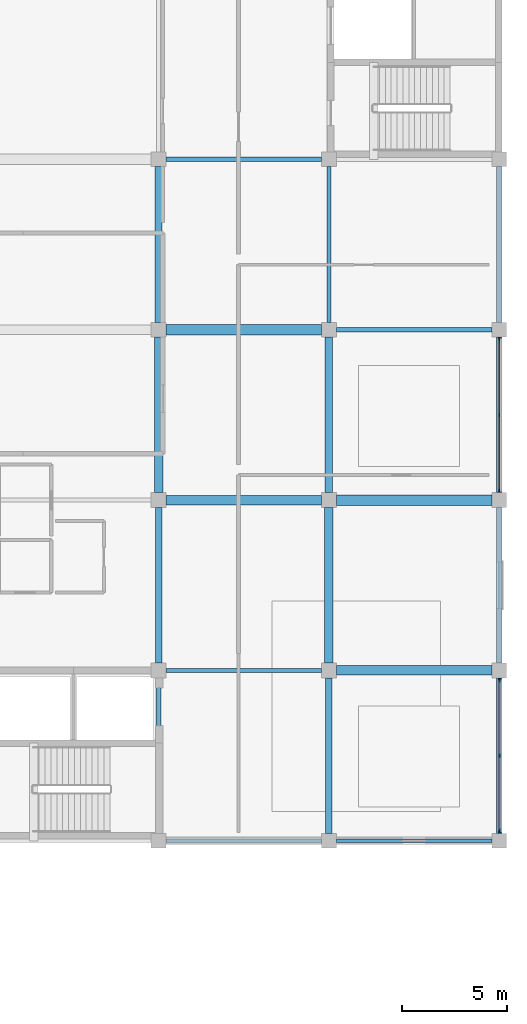
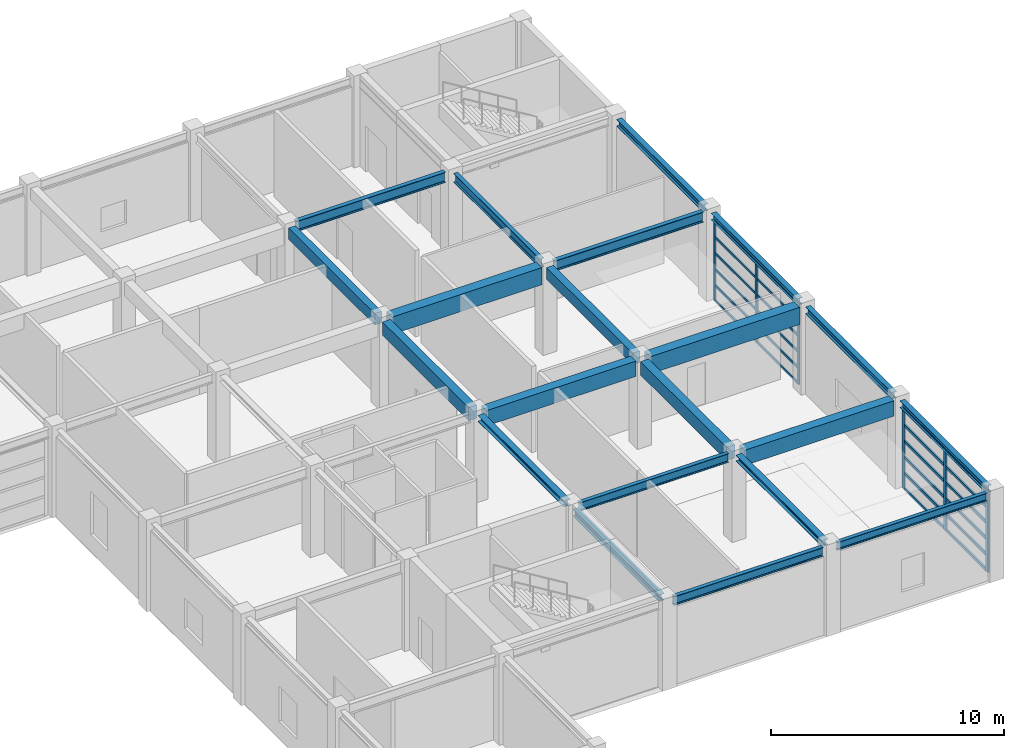
# One storey, part 35 of 58: 30 members, 21 beams, 2 elements without a shape of their own.
"""IFC4 building model written with IfcOpenShell, lengths in metres."""

from ifc_helpers import new_model, si_unit, direction, frame, origin, origin_2d, place, context, subcontext, project, spatial, rectangle, i_section, extrude, material, material_profile, profile_set, type_object, element, aggregate, save


model = new_model("IFC4")

# Units and contexts
model_context = context("Model", 3, precision=1e-05, world=origin(), true_north=direction((0.0, 1.0)))
body_context = subcontext(model_context, "Body", "Model", "MODEL_VIEW")
ifc_project = project(units=[si_unit("LENGTHUNIT", "METRE"), si_unit("AREAUNIT", "SQUARE_METRE"), si_unit("VOLUMEUNIT", "CUBIC_METRE"), si_unit("PLANEANGLEUNIT", "RADIAN"), si_unit("MASSUNIT", "GRAM", prefix="KILO")], contexts=[model_context])

# Site, building, storey
site_placement = place(None, origin())
site = spatial("IfcSite", under=ifc_project, at=site_placement, CompositionType="ELEMENT")
building_placement = place(site_placement, origin())
building = spatial("IfcBuilding", under=site, at=building_placement, Name="Parian Resonance Hall", CompositionType="ELEMENT")
storey_placement = place(building_placement, frame((0.0, 0.0, 10.199951171875)))
storey = spatial("IfcBuildingStorey", under=building, at=storey_placement, Name="L02", CompositionType="ELEMENT", Elevation=10.199951171875)

# Beams
ifc_material_1 = material(Name="Concrete C40/50", Category="concrete")
ifc_material_profile_1 = material_profile(ifc_material_1, rectangle(XDim=0.35009765625, YDim=0.60009765625, at=origin_2d()), Name="RC-BM-350x600")
ifc_profile_set_1 = profile_set([ifc_material_profile_1], Name="Concrete C40/50")
beam_type_1 = type_object("IfcBeamType", Name="BM-RC350x600", PredefinedType="BEAM", material=ifc_profile_set_1)
beam_1_placement = place(storey_placement, frame((129.60009765625, 73.25, 4.25), z_axis=(0.0, 1.0, 0.0), x_axis=(-1.0, 0.0, 0.0)))
element("IfcBeam", 1, at=beam_1_placement, inside=storey, type_object=beam_type_1, Name="GY-L02-0800", PredefinedType="BEAM", context=body_context, shape_type="SweptSolid", body=[
    extrude(rectangle(XDim=0.35009765625, YDim=0.60009765625, at=origin_2d()), origin(), (0.0, 0.0, 1.0), 7.39990234375),
])
beam_2_placement = place(storey_placement, frame((137.699951171875, 65.14990234375, 4.25), z_axis=(0.0, 1.0, 0.0), x_axis=(-1.0, 0.0, 0.0)))
element("IfcBeam", 2, at=beam_2_placement, inside=storey, type_object=beam_type_1, Name="GY-L02-0804", PredefinedType="BEAM", context=body_context, shape_type="SweptSolid", body=[
    extrude(rectangle(XDim=0.35009765625, YDim=0.60009765625, at=origin_2d()), origin(), (0.0, 0.0, 1.0), 7.400146484375),
])
ifc_material_2 = material(Name="Concrete C40/50", Category="concrete")
ifc_material_profile_2 = material_profile(ifc_material_2, rectangle(XDim=0.39990234375, YDim=0.699951171875, at=origin_2d()), Name="RC-BM-400x700")
ifc_profile_set_2 = profile_set([ifc_material_profile_2], Name="Concrete C40/50")
beam_type_2 = type_object("IfcBeamType", Name="BM-RC400x700", PredefinedType="BEAM", material=ifc_profile_set_2)
beam_3_placement = place(storey_placement, frame((129.60009765625, 65.14990234375, 4.199951171875), z_axis=(0.0, 1.0, 0.0), x_axis=(-1.0, 0.0, 0.0)))
element("IfcBeam", 3, at=beam_3_placement, inside=storey, type_object=beam_type_2, Name="GY-L02-0799", PredefinedType="BEAM", context=body_context, shape_type="SweptSolid", body=[
    extrude(rectangle(XDim=0.39990234375, YDim=0.699951171875, at=origin_2d()), origin(), (0.0, 0.0, 1.0), 7.400146484375),
])
beam_4_placement = place(storey_placement, frame((137.699951171875, 57.050048828125, 4.199951171875), z_axis=(0.0, 1.0, 0.0), x_axis=(-1.0, 0.0, 0.0)))
element("IfcBeam", 4, at=beam_4_placement, inside=storey, type_object=beam_type_2, Name="GY-L02-0803", PredefinedType="BEAM", context=body_context, shape_type="SweptSolid", body=[
    extrude(rectangle(XDim=0.39990234375, YDim=0.699951171875, at=origin_2d()), origin(), (0.0, 0.0, 1.0), 7.39990234375),
])
ifc_material_3 = material(Name="Concrete C40/50", Category="concrete")
ifc_material_profile_3 = material_profile(ifc_material_3, rectangle(XDim=0.449951171875, YDim=0.800048828125, at=origin_2d()), Name="RC-BM-450x800")
ifc_profile_set_3 = profile_set([ifc_material_profile_3], Name="Concrete C40/50")
beam_type_3 = type_object("IfcBeamType", Name="BM-RC450x800", PredefinedType="USERDEFINED", material=ifc_profile_set_3)
beam_5_placement = place(storey_placement, frame((129.949951171875, 64.800048828125, 4.150146484375), z_axis=(1.0, 0.0, 0.0), x_axis=(0.0, 1.0, 0.0)))
element("IfcBeam", 5, at=beam_5_placement, inside=storey, type_object=beam_type_3, Name="GX-L02-0730", ObjectType="GIRDER", PredefinedType="USERDEFINED", context=body_context, shape_type="SweptSolid", body=[
    extrude(rectangle(XDim=0.449951171875, YDim=0.800048828125, at=origin_2d()), origin(), (0.0, 0.0, 1.0), 7.400146484375),
])
beam_6_placement = place(storey_placement, frame((138.050048828125, 56.699951171875, 4.150146484375), z_axis=(1.0, 0.0, 0.0), x_axis=(0.0, 1.0, 0.0)))
element("IfcBeam", 6, at=beam_6_placement, inside=storey, type_object=beam_type_3, Name="GX-L02-0735", ObjectType="GIRDER", PredefinedType="USERDEFINED", context=body_context, shape_type="SweptSolid", body=[
    extrude(rectangle(XDim=0.449951171875, YDim=0.800048828125, at=origin_2d()), origin(), (0.0, 0.0, 1.0), 7.39990234375),
])
ifc_material_4 = material(Name="Concrete C40/50", Category="concrete")
ifc_material_profile_4 = material_profile(ifc_material_4, rectangle(XDim=0.5, YDim=0.89990234375, at=origin_2d()), Name="RC-BM-500x900")
ifc_profile_set_4 = profile_set([ifc_material_profile_4], Name="Concrete C40/50")
beam_type_4 = type_object("IfcBeamType", Name="BM-RC500x900", PredefinedType="USERDEFINED", material=ifc_profile_set_4)
beam_7_placement = place(storey_placement, frame((129.949951171875, 72.89990234375, 4.10009765625), z_axis=(1.0, 0.0, 0.0), x_axis=(0.0, 1.0, 0.0)))
element("IfcBeam", 7, at=beam_7_placement, inside=storey, type_object=beam_type_4, Name="GX-L02-0731", ObjectType="GIRDER", PredefinedType="USERDEFINED", context=body_context, shape_type="SweptSolid", body=[
    extrude(rectangle(XDim=0.5, YDim=0.89990234375, at=origin_2d()), origin(), (0.0, 0.0, 1.0), 7.400146484375),
])
beam_8_placement = place(storey_placement, frame((138.050048828125, 64.800048828125, 4.10009765625), z_axis=(1.0, 0.0, 0.0), x_axis=(0.0, 1.0, 0.0)))
element("IfcBeam", 8, at=beam_8_placement, inside=storey, type_object=beam_type_4, Name="GX-L02-0736", ObjectType="GIRDER", PredefinedType="USERDEFINED", context=body_context, shape_type="SweptSolid", body=[
    extrude(rectangle(XDim=0.5, YDim=0.89990234375, at=origin_2d()), origin(), (0.0, 0.0, 1.0), 7.39990234375),
])
ifc_material_5 = material(Name="Steel S355", Category="steel")
ifc_material_profile_5 = material_profile(ifc_material_5, i_section(OverallWidth=0.304931640625, OverallDepth=0.30810546875, WebThickness=0.010009765625, FlangeThickness=0.015380859375, FilletRadius=0.01513671875, at=origin_2d()), Name="W310x97")
ifc_profile_set_5 = profile_set([ifc_material_profile_5], Name="Steel S355")
beam_type_5 = type_object("IfcBeamType", Name="BM-W310x97", PredefinedType="BEAM", material=ifc_profile_set_5)
beam_9_placement = place(storey_placement, frame((129.60009765625, 57.050048828125, 4.39599609375), z_axis=(0.0, 1.0, 0.0), x_axis=(-1.0, 0.0, 0.0)))
element("IfcBeam", 9, at=beam_9_placement, inside=storey, type_object=beam_type_5, Name="GY-L02-0798", PredefinedType="BEAM", context=body_context, shape_type="SweptSolid", body=[
    extrude(i_section(OverallWidth=0.304931640625, OverallDepth=0.30810546875, WebThickness=0.010009765625, FlangeThickness=0.015380859375, FilletRadius=0.01513671875, at=origin_2d()), origin(), (0.0, 0.0, 1.0), 7.39990234375),
])
beam_10_placement = place(storey_placement, frame((137.699951171875, 48.949951171875, 4.39599609375), z_axis=(0.0, 1.0, 0.0), x_axis=(-1.0, 0.0, 0.0)))
element("IfcBeam", 10, at=beam_10_placement, inside=storey, type_object=beam_type_5, Name="GY-L02-0802", PredefinedType="BEAM", context=body_context, shape_type="SweptSolid", body=[
    extrude(i_section(OverallWidth=0.304931640625, OverallDepth=0.30810546875, WebThickness=0.010009765625, FlangeThickness=0.015380859375, FilletRadius=0.01513671875, at=origin_2d()), origin(), (0.0, 0.0, 1.0), 7.400146484375),
])
ifc_material_6 = material(Name="Steel S355", Category="steel")
ifc_material_profile_6 = material_profile(ifc_material_6, i_section(OverallWidth=0.2548828125, OverallDepth=0.35693359375, WebThickness=0.010498046875, FlangeThickness=0.018310546875, FilletRadius=0.01513671875, at=origin_2d()), Name="W360x101")
ifc_profile_set_6 = profile_set([ifc_material_profile_6], Name="Steel S355")
beam_type_6 = type_object("IfcBeamType", Name="BM-W360x101", PredefinedType="SPANDREL", material=ifc_profile_set_6)
for number, where, z_axis, x_axis, name in (
    (11, (129.60009765625, 48.949951171875, 4.37158203125), (0.0, 1.0, 0.0), (-1.0, 0.0, 0.0), "GY-L02-0797"),
    (12, (145.800048828125, 48.949951171875, 4.37158203125), (0.0, 1.0, 0.0), (-1.0, 0.0, 0.0), "GY-L02-0807"),
):
    element("IfcBeam", number, at=place(storey_placement, frame(where, z_axis=z_axis, x_axis=x_axis)), inside=storey, type_object=beam_type_6, Name=name, PredefinedType="SPANDREL", context=body_context, shape_type="SweptSolid", body=[
        extrude(i_section(OverallWidth=0.2548828125, OverallDepth=0.35693359375, WebThickness=0.010498046875, FlangeThickness=0.018310546875, FilletRadius=0.01513671875, at=origin_2d()), origin(), (0.0, 0.0, 1.0), 7.400146484375),
    ])
beam_11_placement = place(storey_placement, frame((145.800048828125, 57.050048828125, 4.37158203125), z_axis=(0.0, 1.0, 0.0), x_axis=(-1.0, 0.0, 0.0)))
element("IfcBeam", 13, at=beam_11_placement, inside=storey, type_object=beam_type_6, Name="GY-L02-0808", PredefinedType="SPANDREL", context=body_context, shape_type="SweptSolid", body=[
    extrude(i_section(OverallWidth=0.2548828125, OverallDepth=0.35693359375, WebThickness=0.010498046875, FlangeThickness=0.018310546875, FilletRadius=0.01513671875, at=origin_2d()), origin(), (0.0, 0.0, 1.0), 7.39990234375),
])
beam_12_placement = place(storey_placement, frame((145.800048828125, 65.14990234375, 4.37158203125), z_axis=(0.0, 1.0, 0.0), x_axis=(-1.0, 0.0, 0.0)))
element("IfcBeam", 14, at=beam_12_placement, inside=storey, type_object=beam_type_6, Name="GY-L02-0809", PredefinedType="SPANDREL", context=body_context, shape_type="SweptSolid", body=[
    extrude(i_section(OverallWidth=0.2548828125, OverallDepth=0.35693359375, WebThickness=0.010498046875, FlangeThickness=0.018310546875, FilletRadius=0.01513671875, at=origin_2d()), origin(), (0.0, 0.0, 1.0), 7.400146484375),
])
beam_13_placement = place(storey_placement, frame((145.800048828125, 73.25, 4.37158203125), z_axis=(0.0, 1.0, 0.0), x_axis=(-1.0, 0.0, 0.0)))
element("IfcBeam", 15, at=beam_13_placement, inside=storey, type_object=beam_type_6, Name="GY-L02-0810", PredefinedType="SPANDREL", context=body_context, shape_type="SweptSolid", body=[
    extrude(i_section(OverallWidth=0.2548828125, OverallDepth=0.35693359375, WebThickness=0.010498046875, FlangeThickness=0.018310546875, FilletRadius=0.01513671875, at=origin_2d()), origin(), (0.0, 0.0, 1.0), 7.39990234375),
])
ifc_material_7 = material(Name="Steel S355", Category="steel")
ifc_material_profile_7 = material_profile(ifc_material_7, i_section(OverallWidth=0.180908203125, OverallDepth=0.4169921875, WebThickness=0.010986328125, FlangeThickness=0.018310546875, FilletRadius=0.01513671875, at=origin_2d()), Name="W410x85")
ifc_profile_set_7 = profile_set([ifc_material_profile_7], Name="Steel S355")
beam_type_7 = type_object("IfcBeamType", Name="BM-W410x85", PredefinedType="SPANDREL", material=ifc_profile_set_7)
beam_14_placement = place(storey_placement, frame((138.050048828125, 48.60009765625, 4.341552734375), z_axis=(1.0, 0.0, 0.0), x_axis=(0.0, 1.0, 0.0)))
element("IfcBeam", 16, at=beam_14_placement, inside=storey, type_object=beam_type_7, Name="GX-L02-0734", PredefinedType="SPANDREL", context=body_context, shape_type="SweptSolid", body=[
    extrude(i_section(OverallWidth=0.180908203125, OverallDepth=0.4169921875, WebThickness=0.010986328125, FlangeThickness=0.018310546875, FilletRadius=0.01513671875, at=origin_2d()), origin(), (0.0, 0.0, 1.0), 7.39990234375),
])
ifc_material_8 = material(Name="Steel S355", Category="steel")
ifc_material_profile_8 = material_profile(ifc_material_8, i_section(OverallWidth=0.194091796875, OverallDepth=0.468994140625, WebThickness=0.0126953125, FlangeThickness=0.0205078125, FilletRadius=0.01513671875, at=origin_2d()), Name="W460x106")
ifc_profile_set_8 = profile_set([ifc_material_profile_8], Name="Steel S355")
beam_type_8 = type_object("IfcBeamType", Name="BM-W460x106", PredefinedType="SPANDREL", material=ifc_profile_set_8)
beam_15_placement = place(storey_placement, frame((129.949951171875, 48.60009765625, 4.3154296875), z_axis=(1.0, 0.0, 0.0), x_axis=(0.0, 1.0, 0.0)))
element("IfcBeam", 17, at=beam_15_placement, inside=storey, type_object=beam_type_8, Name="GX-L02-0728", PredefinedType="SPANDREL", context=body_context, shape_type="SweptSolid", body=[
    extrude(i_section(OverallWidth=0.194091796875, OverallDepth=0.468994140625, WebThickness=0.0126953125, FlangeThickness=0.0205078125, FilletRadius=0.01513671875, at=origin_2d()), origin(), (0.0, 0.0, 1.0), 7.400146484375),
])
beam_16_placement = place(storey_placement, frame((137.699951171875, 73.25, 4.3154296875), z_axis=(0.0, 1.0, 0.0), x_axis=(-1.0, 0.0, 0.0)))
element("IfcBeam", 18, at=beam_16_placement, inside=storey, type_object=beam_type_8, Name="GY-L02-0805", PredefinedType="SPANDREL", context=body_context, shape_type="SweptSolid", body=[
    extrude(i_section(OverallWidth=0.194091796875, OverallDepth=0.468994140625, WebThickness=0.0126953125, FlangeThickness=0.0205078125, FilletRadius=0.01513671875, at=origin_2d()), origin(), (0.0, 0.0, 1.0), 7.39990234375),
])
ifc_material_9 = material(Name="Steel S355", Category="steel")
ifc_material_profile_9 = material_profile(ifc_material_9, i_section(OverallWidth=0.19091796875, OverallDepth=0.4599609375, WebThickness=0.010009765625, FlangeThickness=0.01611328125, FilletRadius=0.01513671875, at=origin_2d()), Name="W460x82")
ifc_profile_set_9 = profile_set([ifc_material_profile_9], Name="Steel S355")
beam_type_9 = type_object("IfcBeamType", Name="BM-W460x82", PredefinedType="BEAM", material=ifc_profile_set_9)
beam_17_placement = place(storey_placement, frame((129.949951171875, 56.699951171875, 4.320068359375), z_axis=(1.0, 0.0, 0.0), x_axis=(0.0, 1.0, 0.0)))
element("IfcBeam", 19, at=beam_17_placement, inside=storey, type_object=beam_type_9, Name="GX-L02-0729", PredefinedType="BEAM", context=body_context, shape_type="SweptSolid", body=[
    extrude(i_section(OverallWidth=0.19091796875, OverallDepth=0.4599609375, WebThickness=0.010009765625, FlangeThickness=0.01611328125, FilletRadius=0.01513671875, at=origin_2d()), origin(), (0.0, 0.0, 1.0), 7.400146484375),
])
ifc_material_10 = material(Name="Steel S355", Category="steel")
ifc_material_profile_10 = material_profile(ifc_material_10, i_section(OverallWidth=0.2119140625, OverallDepth=0.5439453125, WebThickness=0.01318359375, FlangeThickness=0.021240234375, FilletRadius=0.017822265625, at=origin_2d()), Name="W530x123")
ifc_profile_set_10 = profile_set([ifc_material_profile_10], Name="Steel S355")
beam_type_10 = type_object("IfcBeamType", Name="BM-W530x123", PredefinedType="USERDEFINED", material=ifc_profile_set_10)
beam_18_placement = place(storey_placement, frame((129.949951171875, 81.0, 4.278076171875), z_axis=(1.0, 0.0, 0.0), x_axis=(0.0, 1.0, 0.0)))
element("IfcBeam", 20, at=beam_18_placement, inside=storey, type_object=beam_type_10, Name="GX-L02-0732", ObjectType="GIRDER", PredefinedType="USERDEFINED", context=body_context, shape_type="SweptSolid", body=[
    extrude(i_section(OverallWidth=0.2119140625, OverallDepth=0.5439453125, WebThickness=0.01318359375, FlangeThickness=0.021240234375, FilletRadius=0.017822265625, at=origin_2d()), origin(), (0.0, 0.0, 1.0), 7.400146484375),
])
beam_19_placement = place(storey_placement, frame((138.050048828125, 72.89990234375, 4.278076171875), z_axis=(1.0, 0.0, 0.0), x_axis=(0.0, 1.0, 0.0)))
element("IfcBeam", 21, at=beam_19_placement, inside=storey, type_object=beam_type_10, Name="GX-L02-0737", ObjectType="GIRDER", PredefinedType="USERDEFINED", context=body_context, shape_type="SweptSolid", body=[
    extrude(i_section(OverallWidth=0.2119140625, OverallDepth=0.5439453125, WebThickness=0.01318359375, FlangeThickness=0.021240234375, FilletRadius=0.017822265625, at=origin_2d()), origin(), (0.0, 0.0, 1.0), 7.39990234375),
])

# Curtain wall, members
ifc_material_11 = material(Name="Bronze-anodised aluminium frame", Category="aluminium")
curtain_wall_type_1 = type_object("IfcCurtainWallType", Name="CW-SYS-03", PredefinedType="NOTDEFINED", material=ifc_material_11)
curtain_wall_1_placement = place(storey_placement, origin())
curtain_wall_1 = element("IfcCurtainWall", 22, at=curtain_wall_1_placement, inside=storey, type_object=curtain_wall_type_1, Name="Curtain wall CW-L02-147", PredefinedType="NOTDEFINED")
ifc_material_12 = material(Name="Bronze-anodised aluminium frame", Category="aluminium")
ifc_material_profile_11 = material_profile(ifc_material_12, rectangle(XDim=0.06494140625, YDim=0.159912109375, at=origin_2d()), Name="CWM-65x160")
ifc_profile_set_11 = profile_set([ifc_material_profile_11], Name="Bronze-anodised aluminium frame")
member_type_1 = type_object("IfcMemberType", Name="CWM-65x160", PredefinedType="MULLION", material=ifc_profile_set_11)
member_1_placement = place(storey_placement, frame((145.800048828125, 72.4375, -0.008056640625), z_axis=(0.0, 0.0, 1.0), x_axis=(1.0, 0.0, 0.0)))
member_1 = element("IfcMember", 23, at=member_1_placement, type_object=member_type_1, Name="CW-03 mullion 1", PredefinedType="MULLION", context=body_context, shape_type="SweptSolid", body=[
    extrude(rectangle(XDim=0.06494140625, YDim=0.159912109375, at=origin_2d()), origin(), (0.0, 0.0, 1.0), 4.205078125),
])
member_2_placement = place(storey_placement, frame((145.800048828125, 68.85009765625, -0.008056640625), z_axis=(0.0, 0.0, 1.0), x_axis=(1.0, 0.0, 0.0)))
member_2 = element("IfcMember", 24, at=member_2_placement, type_object=member_type_1, Name="CW-03 mullion 2", PredefinedType="MULLION", context=body_context, shape_type="SweptSolid", body=[
    extrude(rectangle(XDim=0.06494140625, YDim=0.159912109375, at=origin_2d()), origin(), (0.0, 0.0, 1.0), 4.205078125),
])
member_3_placement = place(storey_placement, frame((145.800048828125, 65.262451171875, -0.008056640625), z_axis=(0.0, 0.0, 1.0), x_axis=(1.0, 0.0, 0.0)))
member_3 = element("IfcMember", 25, at=member_3_placement, type_object=member_type_1, Name="CW-03 mullion 3", PredefinedType="MULLION", context=body_context, shape_type="SweptSolid", body=[
    extrude(rectangle(XDim=0.06494140625, YDim=0.159912109375, at=origin_2d()), origin(), (0.0, 0.0, 1.0), 4.205078125),
])

ifc_material_13 = material(Name="Bronze-anodised aluminium frame", Category="aluminium")
curtain_wall_type_2 = type_object("IfcCurtainWallType", Name="CW-SYS-01", PredefinedType="NOTDEFINED", material=ifc_material_13)
curtain_wall_2_placement = place(storey_placement, origin())
curtain_wall_2 = element("IfcCurtainWall", 26, at=curtain_wall_2_placement, inside=storey, type_object=curtain_wall_type_2, Name="Curtain wall CW-L02-146", PredefinedType="NOTDEFINED")
ifc_material_14 = material(Name="Bronze-anodised aluminium frame", Category="aluminium")
ifc_material_profile_12 = material_profile(ifc_material_14, rectangle(XDim=0.074951171875, YDim=0.199951171875, at=origin_2d()), Name="CWM-75x200")
ifc_profile_set_12 = profile_set([ifc_material_profile_12], Name="Bronze-anodised aluminium frame")
member_type_2 = type_object("IfcMemberType", Name="CWM-75x200", PredefinedType="MULLION", material=ifc_profile_set_12)
member_4_placement = place(storey_placement, frame((145.800048828125, 56.232421875, -0.008056640625), z_axis=(0.0, 0.0, 1.0), x_axis=(1.0, 0.0, 0.0)))
member_4 = element("IfcMember", 27, at=member_4_placement, type_object=member_type_2, Name="CW-01 mullion 1", PredefinedType="MULLION", context=body_context, shape_type="SweptSolid", body=[
    extrude(rectangle(XDim=0.074951171875, YDim=0.199951171875, at=origin_2d()), origin(), (0.0, 0.0, 1.0), 4.205078125),
])
member_5_placement = place(storey_placement, frame((145.800048828125, 52.64990234375, -0.008056640625), z_axis=(0.0, 0.0, 1.0), x_axis=(1.0, 0.0, 0.0)))
member_5 = element("IfcMember", 28, at=member_5_placement, type_object=member_type_2, Name="CW-01 mullion 2", PredefinedType="MULLION", context=body_context, shape_type="SweptSolid", body=[
    extrude(rectangle(XDim=0.074951171875, YDim=0.199951171875, at=origin_2d()), origin(), (0.0, 0.0, 1.0), 4.205078125),
])
member_6_placement = place(storey_placement, frame((145.800048828125, 49.0673828125, -0.008056640625), z_axis=(0.0, 0.0, 1.0), x_axis=(1.0, 0.0, 0.0)))
member_6 = element("IfcMember", 29, at=member_6_placement, type_object=member_type_2, Name="CW-01 mullion 3", PredefinedType="MULLION", context=body_context, shape_type="SweptSolid", body=[
    extrude(rectangle(XDim=0.074951171875, YDim=0.199951171875, at=origin_2d()), origin(), (0.0, 0.0, 1.0), 4.205078125),
])

# Member
ifc_material_15 = material(Name="Bronze-anodised aluminium frame", Category="aluminium")
ifc_material_profile_13 = material_profile(ifc_material_15, rectangle(XDim=0.06494140625, YDim=0.1201171875, at=origin_2d()), Name="CWT-65x120")
ifc_profile_set_13 = profile_set([ifc_material_profile_13], Name="Bronze-anodised aluminium frame")
member_type_3 = type_object("IfcMemberType", Name="CWT-65x120", PredefinedType="USERDEFINED", material=ifc_profile_set_13)
member_7_placement = place(storey_placement, frame((145.800048828125, 72.405029296875, 0.024658203125), z_axis=(0.0, -1.0, 0.0), x_axis=(1.0, 0.0, 0.0)))
member_7 = element("IfcMember", 30, at=member_7_placement, type_object=member_type_3, Name="CW-03 transom 1.1", ObjectType="TRANSOM", PredefinedType="USERDEFINED", context=body_context, shape_type="SweptSolid", body=[
    extrude(rectangle(XDim=0.06494140625, YDim=0.1201171875, at=origin_2d()), origin(), (0.0, 0.0, 1.0), 3.5224609375),
])

member_8_placement = place(storey_placement, frame((145.800048828125, 72.405029296875, 0.83740234375), z_axis=(0.0, -1.0, 0.0), x_axis=(1.0, 0.0, 0.0)))
member_8 = element("IfcMember", 31, at=member_8_placement, type_object=member_type_3, Name="CW-03 transom 1.2", ObjectType="TRANSOM", PredefinedType="USERDEFINED", context=body_context, shape_type="SweptSolid", body=[
    extrude(rectangle(XDim=0.06494140625, YDim=0.1201171875, at=origin_2d()), origin(), (0.0, 0.0, 1.0), 3.5224609375),
])

member_9_placement = place(storey_placement, frame((145.800048828125, 72.405029296875, 1.6748046875), z_axis=(0.0, -1.0, 0.0), x_axis=(1.0, 0.0, 0.0)))
member_9 = element("IfcMember", 32, at=member_9_placement, type_object=member_type_3, Name="CW-03 transom 1.3", ObjectType="TRANSOM", PredefinedType="USERDEFINED", context=body_context, shape_type="SweptSolid", body=[
    extrude(rectangle(XDim=0.06494140625, YDim=0.1201171875, at=origin_2d()), origin(), (0.0, 0.0, 1.0), 3.5224609375),
])

member_10_placement = place(storey_placement, frame((145.800048828125, 72.405029296875, 2.51220703125), z_axis=(0.0, -1.0, 0.0), x_axis=(1.0, 0.0, 0.0)))
member_10 = element("IfcMember", 33, at=member_10_placement, type_object=member_type_3, Name="CW-03 transom 1.4", ObjectType="TRANSOM", PredefinedType="USERDEFINED", context=body_context, shape_type="SweptSolid", body=[
    extrude(rectangle(XDim=0.06494140625, YDim=0.1201171875, at=origin_2d()), origin(), (0.0, 0.0, 1.0), 3.5224609375),
])

member_11_placement = place(storey_placement, frame((145.800048828125, 72.405029296875, 3.349609375), z_axis=(0.0, -1.0, 0.0), x_axis=(1.0, 0.0, 0.0)))
member_11 = element("IfcMember", 34, at=member_11_placement, type_object=member_type_3, Name="CW-03 transom 1.5", ObjectType="TRANSOM", PredefinedType="USERDEFINED", context=body_context, shape_type="SweptSolid", body=[
    extrude(rectangle(XDim=0.06494140625, YDim=0.1201171875, at=origin_2d()), origin(), (0.0, 0.0, 1.0), 3.5224609375),
])

member_12_placement = place(storey_placement, frame((145.800048828125, 72.405029296875, 4.16455078125), z_axis=(0.0, -1.0, 0.0), x_axis=(1.0, 0.0, 0.0)))
member_12 = element("IfcMember", 35, at=member_12_placement, type_object=member_type_3, Name="CW-03 transom 1.6", ObjectType="TRANSOM", PredefinedType="USERDEFINED", context=body_context, shape_type="SweptSolid", body=[
    extrude(rectangle(XDim=0.06494140625, YDim=0.1201171875, at=origin_2d()), origin(), (0.0, 0.0, 1.0), 3.5224609375),
])

member_13_placement = place(storey_placement, frame((145.800048828125, 68.8173828125, 0.024658203125), z_axis=(0.0, -1.0, 0.0), x_axis=(1.0, 0.0, 0.0)))
member_13 = element("IfcMember", 36, at=member_13_placement, type_object=member_type_3, Name="CW-03 transom 2.1", ObjectType="TRANSOM", PredefinedType="USERDEFINED", context=body_context, shape_type="SweptSolid", body=[
    extrude(rectangle(XDim=0.06494140625, YDim=0.1201171875, at=origin_2d()), origin(), (0.0, 0.0, 1.0), 3.5224609375),
])

member_14_placement = place(storey_placement, frame((145.800048828125, 68.8173828125, 0.83740234375), z_axis=(0.0, -1.0, 0.0), x_axis=(1.0, 0.0, 0.0)))
member_14 = element("IfcMember", 37, at=member_14_placement, type_object=member_type_3, Name="CW-03 transom 2.2", ObjectType="TRANSOM", PredefinedType="USERDEFINED", context=body_context, shape_type="SweptSolid", body=[
    extrude(rectangle(XDim=0.06494140625, YDim=0.1201171875, at=origin_2d()), origin(), (0.0, 0.0, 1.0), 3.5224609375),
])

member_15_placement = place(storey_placement, frame((145.800048828125, 68.8173828125, 1.6748046875), z_axis=(0.0, -1.0, 0.0), x_axis=(1.0, 0.0, 0.0)))
member_15 = element("IfcMember", 38, at=member_15_placement, type_object=member_type_3, Name="CW-03 transom 2.3", ObjectType="TRANSOM", PredefinedType="USERDEFINED", context=body_context, shape_type="SweptSolid", body=[
    extrude(rectangle(XDim=0.06494140625, YDim=0.1201171875, at=origin_2d()), origin(), (0.0, 0.0, 1.0), 3.5224609375),
])

member_16_placement = place(storey_placement, frame((145.800048828125, 68.8173828125, 2.51220703125), z_axis=(0.0, -1.0, 0.0), x_axis=(1.0, 0.0, 0.0)))
member_16 = element("IfcMember", 39, at=member_16_placement, type_object=member_type_3, Name="CW-03 transom 2.4", ObjectType="TRANSOM", PredefinedType="USERDEFINED", context=body_context, shape_type="SweptSolid", body=[
    extrude(rectangle(XDim=0.06494140625, YDim=0.1201171875, at=origin_2d()), origin(), (0.0, 0.0, 1.0), 3.5224609375),
])

member_17_placement = place(storey_placement, frame((145.800048828125, 68.8173828125, 3.349609375), z_axis=(0.0, -1.0, 0.0), x_axis=(1.0, 0.0, 0.0)))
member_17 = element("IfcMember", 40, at=member_17_placement, type_object=member_type_3, Name="CW-03 transom 2.5", ObjectType="TRANSOM", PredefinedType="USERDEFINED", context=body_context, shape_type="SweptSolid", body=[
    extrude(rectangle(XDim=0.06494140625, YDim=0.1201171875, at=origin_2d()), origin(), (0.0, 0.0, 1.0), 3.5224609375),
])

member_18_placement = place(storey_placement, frame((145.800048828125, 68.8173828125, 4.16455078125), z_axis=(0.0, -1.0, 0.0), x_axis=(1.0, 0.0, 0.0)))
member_18 = element("IfcMember", 41, at=member_18_placement, type_object=member_type_3, Name="CW-03 transom 2.6", ObjectType="TRANSOM", PredefinedType="USERDEFINED", context=body_context, shape_type="SweptSolid", body=[
    extrude(rectangle(XDim=0.06494140625, YDim=0.1201171875, at=origin_2d()), origin(), (0.0, 0.0, 1.0), 3.5224609375),
])

aggregate(curtain_wall_1, [member_1, member_2, member_3, member_7, member_8, member_9, member_10, member_11, member_12, member_13, member_14, member_15, member_16, member_17, member_18])

ifc_material_16 = material(Name="Bronze-anodised aluminium frame", Category="aluminium")
ifc_material_profile_14 = material_profile(ifc_material_16, rectangle(XDim=0.074951171875, YDim=0.14990234375, at=origin_2d()), Name="CWT-75x150")
ifc_profile_set_14 = profile_set([ifc_material_profile_14], Name="Bronze-anodised aluminium frame")
member_type_4 = type_object("IfcMemberType", Name="CWT-75x150", PredefinedType="USERDEFINED", material=ifc_profile_set_14)
member_19_placement = place(storey_placement, frame((145.800048828125, 56.195068359375, 0.029541015625), z_axis=(0.0, -1.0, 0.0), x_axis=(1.0, 0.0, 0.0)))
member_19 = element("IfcMember", 42, at=member_19_placement, type_object=member_type_4, Name="CW-01 transom 1.1", ObjectType="TRANSOM", PredefinedType="USERDEFINED", context=body_context, shape_type="SweptSolid", body=[
    extrude(rectangle(XDim=0.074951171875, YDim=0.14990234375, at=origin_2d()), origin(), (0.0, 0.0, 1.0), 3.507568359375),
])

member_20_placement = place(storey_placement, frame((145.800048828125, 56.195068359375, 0.83740234375), z_axis=(0.0, -1.0, 0.0), x_axis=(1.0, 0.0, 0.0)))
member_20 = element("IfcMember", 43, at=member_20_placement, type_object=member_type_4, Name="CW-01 transom 1.2", ObjectType="TRANSOM", PredefinedType="USERDEFINED", context=body_context, shape_type="SweptSolid", body=[
    extrude(rectangle(XDim=0.074951171875, YDim=0.14990234375, at=origin_2d()), origin(), (0.0, 0.0, 1.0), 3.507568359375),
])

member_21_placement = place(storey_placement, frame((145.800048828125, 56.195068359375, 1.6748046875), z_axis=(0.0, -1.0, 0.0), x_axis=(1.0, 0.0, 0.0)))
member_21 = element("IfcMember", 44, at=member_21_placement, type_object=member_type_4, Name="CW-01 transom 1.3", ObjectType="TRANSOM", PredefinedType="USERDEFINED", context=body_context, shape_type="SweptSolid", body=[
    extrude(rectangle(XDim=0.074951171875, YDim=0.14990234375, at=origin_2d()), origin(), (0.0, 0.0, 1.0), 3.507568359375),
])

member_22_placement = place(storey_placement, frame((145.800048828125, 56.195068359375, 2.51220703125), z_axis=(0.0, -1.0, 0.0), x_axis=(1.0, 0.0, 0.0)))
member_22 = element("IfcMember", 45, at=member_22_placement, type_object=member_type_4, Name="CW-01 transom 1.4", ObjectType="TRANSOM", PredefinedType="USERDEFINED", context=body_context, shape_type="SweptSolid", body=[
    extrude(rectangle(XDim=0.074951171875, YDim=0.14990234375, at=origin_2d()), origin(), (0.0, 0.0, 1.0), 3.507568359375),
])

member_23_placement = place(storey_placement, frame((145.800048828125, 56.195068359375, 3.349609375), z_axis=(0.0, -1.0, 0.0), x_axis=(1.0, 0.0, 0.0)))
member_23 = element("IfcMember", 46, at=member_23_placement, type_object=member_type_4, Name="CW-01 transom 1.5", ObjectType="TRANSOM", PredefinedType="USERDEFINED", context=body_context, shape_type="SweptSolid", body=[
    extrude(rectangle(XDim=0.074951171875, YDim=0.14990234375, at=origin_2d()), origin(), (0.0, 0.0, 1.0), 3.507568359375),
])

member_24_placement = place(storey_placement, frame((145.800048828125, 56.195068359375, 4.15966796875), z_axis=(0.0, -1.0, 0.0), x_axis=(1.0, 0.0, 0.0)))
member_24 = element("IfcMember", 47, at=member_24_placement, type_object=member_type_4, Name="CW-01 transom 1.6", ObjectType="TRANSOM", PredefinedType="USERDEFINED", context=body_context, shape_type="SweptSolid", body=[
    extrude(rectangle(XDim=0.074951171875, YDim=0.14990234375, at=origin_2d()), origin(), (0.0, 0.0, 1.0), 3.507568359375),
])

member_25_placement = place(storey_placement, frame((145.800048828125, 52.612548828125, 0.029541015625), z_axis=(0.0, -1.0, 0.0), x_axis=(1.0, 0.0, 0.0)))
member_25 = element("IfcMember", 48, at=member_25_placement, type_object=member_type_4, Name="CW-01 transom 2.1", ObjectType="TRANSOM", PredefinedType="USERDEFINED", context=body_context, shape_type="SweptSolid", body=[
    extrude(rectangle(XDim=0.074951171875, YDim=0.14990234375, at=origin_2d()), origin(), (0.0, 0.0, 1.0), 3.507568359375),
])

member_26_placement = place(storey_placement, frame((145.800048828125, 52.612548828125, 0.83740234375), z_axis=(0.0, -1.0, 0.0), x_axis=(1.0, 0.0, 0.0)))
member_26 = element("IfcMember", 49, at=member_26_placement, type_object=member_type_4, Name="CW-01 transom 2.2", ObjectType="TRANSOM", PredefinedType="USERDEFINED", context=body_context, shape_type="SweptSolid", body=[
    extrude(rectangle(XDim=0.074951171875, YDim=0.14990234375, at=origin_2d()), origin(), (0.0, 0.0, 1.0), 3.507568359375),
])

member_27_placement = place(storey_placement, frame((145.800048828125, 52.612548828125, 1.6748046875), z_axis=(0.0, -1.0, 0.0), x_axis=(1.0, 0.0, 0.0)))
member_27 = element("IfcMember", 50, at=member_27_placement, type_object=member_type_4, Name="CW-01 transom 2.3", ObjectType="TRANSOM", PredefinedType="USERDEFINED", context=body_context, shape_type="SweptSolid", body=[
    extrude(rectangle(XDim=0.074951171875, YDim=0.14990234375, at=origin_2d()), origin(), (0.0, 0.0, 1.0), 3.507568359375),
])

member_28_placement = place(storey_placement, frame((145.800048828125, 52.612548828125, 2.51220703125), z_axis=(0.0, -1.0, 0.0), x_axis=(1.0, 0.0, 0.0)))
member_28 = element("IfcMember", 51, at=member_28_placement, type_object=member_type_4, Name="CW-01 transom 2.4", ObjectType="TRANSOM", PredefinedType="USERDEFINED", context=body_context, shape_type="SweptSolid", body=[
    extrude(rectangle(XDim=0.074951171875, YDim=0.14990234375, at=origin_2d()), origin(), (0.0, 0.0, 1.0), 3.507568359375),
])

member_29_placement = place(storey_placement, frame((145.800048828125, 52.612548828125, 3.349609375), z_axis=(0.0, -1.0, 0.0), x_axis=(1.0, 0.0, 0.0)))
member_29 = element("IfcMember", 52, at=member_29_placement, type_object=member_type_4, Name="CW-01 transom 2.5", ObjectType="TRANSOM", PredefinedType="USERDEFINED", context=body_context, shape_type="SweptSolid", body=[
    extrude(rectangle(XDim=0.074951171875, YDim=0.14990234375, at=origin_2d()), origin(), (0.0, 0.0, 1.0), 3.507568359375),
])

member_30_placement = place(storey_placement, frame((145.800048828125, 52.612548828125, 4.15966796875), z_axis=(0.0, -1.0, 0.0), x_axis=(1.0, 0.0, 0.0)))
member_30 = element("IfcMember", 53, at=member_30_placement, type_object=member_type_4, Name="CW-01 transom 2.6", ObjectType="TRANSOM", PredefinedType="USERDEFINED", context=body_context, shape_type="SweptSolid", body=[
    extrude(rectangle(XDim=0.074951171875, YDim=0.14990234375, at=origin_2d()), origin(), (0.0, 0.0, 1.0), 3.507568359375),
])

aggregate(curtain_wall_2, [member_4, member_5, member_6, member_19, member_20, member_21, member_22, member_23, member_24, member_25, member_26, member_27, member_28, member_29, member_30])

save(model, "model.ifc")
